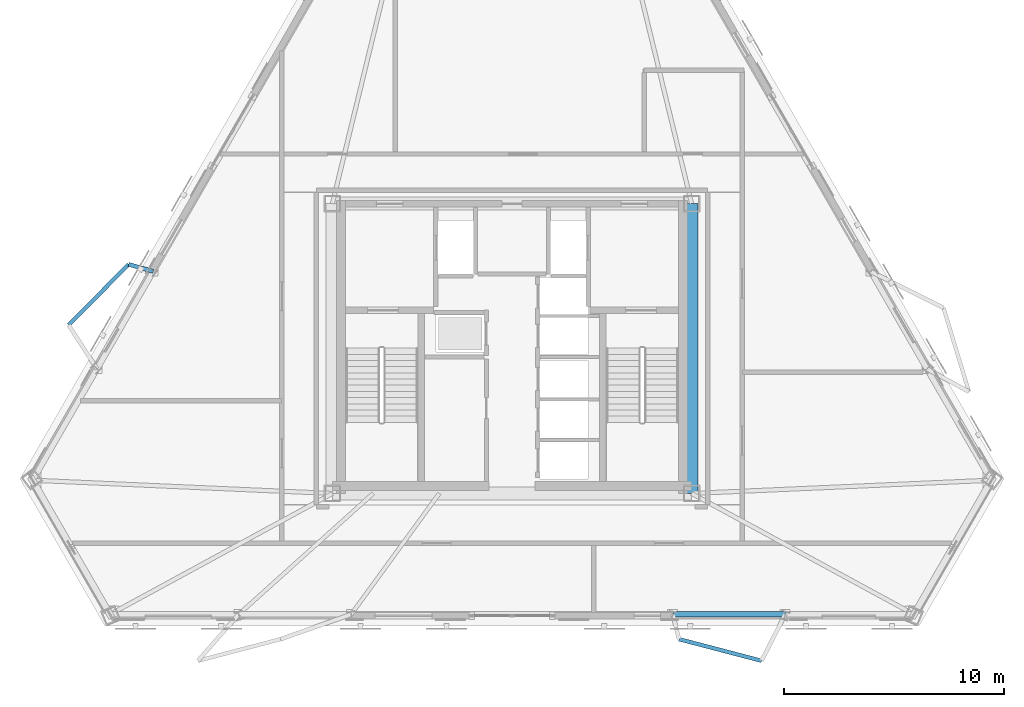
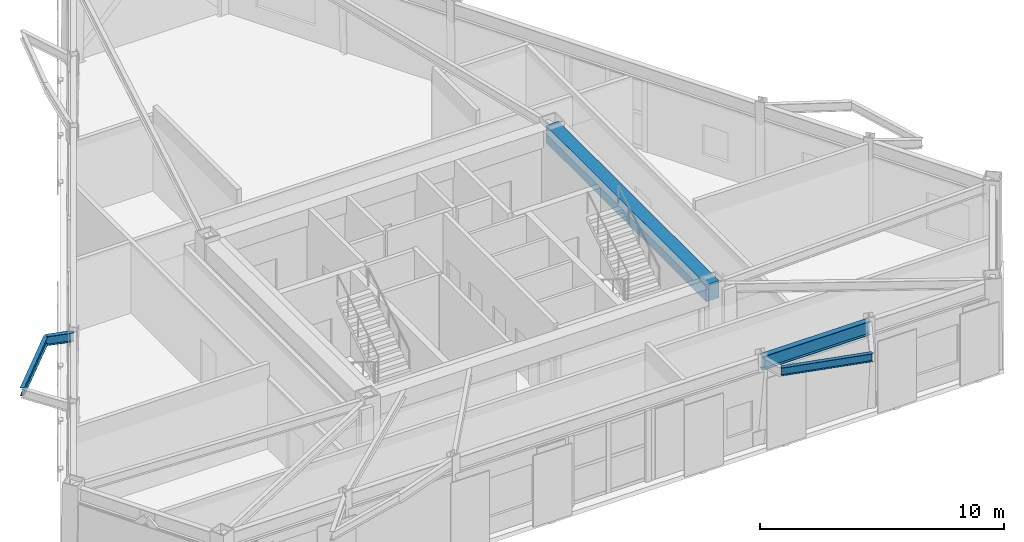
# One storey, part 3 of 14: 5 beams.
"""IFC4 building model written with IfcOpenShell, lengths in metres."""

from ifc_helpers import new_model, si_unit, direction, frame, origin, origin_2d, place, context, subcontext, project, spatial, rectangle, i_section, extrude, material, material_profile, profile_set, type_object, element, save


model = new_model("IFC4")

# Units and contexts
model_context = context("Model", 3, precision=1e-05, world=origin(), true_north=direction((0.0, 1.0)))
body_context = subcontext(model_context, "Body", "Model", "MODEL_VIEW")
ifc_project = project(units=[si_unit("LENGTHUNIT", "METRE"), si_unit("AREAUNIT", "SQUARE_METRE"), si_unit("VOLUMEUNIT", "CUBIC_METRE"), si_unit("PLANEANGLEUNIT", "RADIAN"), si_unit("MASSUNIT", "GRAM", prefix="KILO")], contexts=[model_context])

# Site, building, storey
site_placement = place(None, origin())
site = spatial("IfcSite", under=ifc_project, at=site_placement, CompositionType="ELEMENT")
building_placement = place(site_placement, origin())
building = spatial("IfcBuilding", under=site, at=building_placement, Name="Oramaril Tower", CompositionType="ELEMENT")
storey_placement = place(building_placement, frame((0.0, 0.0, 204.60009765625)))
storey = spatial("IfcBuildingStorey", under=building, at=storey_placement, Name="L54", CompositionType="ELEMENT", Elevation=204.60009765625)

# Beams
ifc_material_1 = material(Name="Steel ASTM A572 Gr 50", Category="steel")
ifc_material_profile_1 = material_profile(ifc_material_1, i_section(OverallWidth=0.19091796875, OverallDepth=0.45703125, WebThickness=0.009033203125, FlangeThickness=0.014404296875, at=origin_2d()), Name="W18X50")
ifc_profile_set_1 = profile_set([ifc_material_profile_1], Name="Steel ASTM A572 Gr 50")
beam_type_1 = type_object("IfcBeamType", Name="BT-BB1", PredefinedType="BEAM", material=ifc_profile_set_1)
beam_1_placement = place(storey_placement, frame((21.224365234375, 21.0751953125, 4.051513671875), z_axis=(-0.961808590687, 0.27372291625, 0.0), x_axis=(-0.27372291625, -0.961808590687, 0.0)))
element("IfcBeam", 1, at=beam_1_placement, inside=storey, type_object=beam_type_1, Name="L54 Balcony Column-Framed Cantilever 06.1", PredefinedType="BEAM", context=body_context, shape_type="SweptSolid", body=[
    extrude(i_section(OverallWidth=0.19091796875, OverallDepth=0.45703125, WebThickness=0.009033203125, FlangeThickness=0.014404296875, at=origin_2d()), origin(), (0.0, 0.0, 1.0), 1.1630859375),
])
ifc_material_2 = material(Name="Concrete C50/60", Category="concrete")
ifc_material_profile_2 = material_profile(ifc_material_2, rectangle(XDim=0.60009765625, YDim=0.85009765625, at=origin_2d()), Name="CB600X850")
ifc_profile_set_2 = profile_set([ifc_material_profile_2], Name="Concrete C50/60")
beam_type_2 = type_object("IfcBeamType", Name="BT-CB2", PredefinedType="BEAM", material=ifc_profile_set_2)
beam_2_placement = place(storey_placement, frame((45.64990234375, 11.0, 3.85498046875), z_axis=(0.0, 1.0, 0.0), x_axis=(-1.0, 0.0, 0.0)))
element("IfcBeam", 2, at=beam_2_placement, inside=storey, type_object=beam_type_2, Name="L54 Core Header Beam CB-2", PredefinedType="BEAM", context=body_context, shape_type="SweptSolid", body=[
    extrude(rectangle(XDim=0.60009765625, YDim=0.85009765625, at=origin_2d()), origin(), (0.0, 0.0, 1.0), 13.14990234375),
])
ifc_material_3 = material(Name="Steel ASTM A572 Gr 50", Category="steel")
ifc_material_profile_3 = material_profile(ifc_material_3, i_section(OverallWidth=0.177978515625, OverallDepth=0.404052734375, WebThickness=0.007568359375, FlangeThickness=0.010986328125, at=origin_2d()), Name="W16X36")
ifc_profile_set_3 = profile_set([ifc_material_profile_3], Name="Steel ASTM A572 Gr 50")
beam_type_3 = type_object("IfcBeamType", Name="BT-SB1", PredefinedType="BEAM", material=ifc_profile_set_3)
for number, where, z_axis, x_axis, name in (
    (3, (45.076904296875, 4.389404296875, 4.077880859375), (0.967392467397, -0.253282083899, 0.0), (0.253282083899, 0.967392467397, 0.0), "L54 Balcony Edge Tie Beam 02"),
    (4, (20.105712890625, 21.3935546875, 4.077880859375), (-0.702994511648, -0.71119527318, 0.0), (0.71119527318, -0.702994511648, 0.0), "L54 Balcony Edge Tie Beam 06"),
):
    element("IfcBeam", number, at=place(storey_placement, frame(where, z_axis=z_axis, x_axis=x_axis)), inside=storey, type_object=beam_type_3, Name=name, PredefinedType="BEAM", context=body_context, shape_type="SweptSolid", body=[
        extrude(i_section(OverallWidth=0.177978515625, OverallDepth=0.404052734375, WebThickness=0.007568359375, FlangeThickness=0.010986328125, at=origin_2d()), origin(), (0.0, 0.0, 1.0), 3.8701171875),
    ])
ifc_material_4 = material(Name="Steel ASTM A572 Gr 50", Category="steel")
ifc_material_profile_4 = material_profile(ifc_material_4, i_section(OverallWidth=0.257080078125, OverallDepth=0.693115234375, WebThickness=0.014404296875, FlangeThickness=0.023681640625, at=origin_2d()), Name="W27X114")
ifc_profile_set_4 = profile_set([ifc_material_profile_4], Name="Steel ASTM A572 Gr 50")
beam_type_4 = type_object("IfcBeamType", Name="BT-SP4", PredefinedType="SPANDREL", material=ifc_profile_set_4)
beam_3_placement = place(storey_placement, frame((44.793212890625, 5.517333984375, 3.933349609375), z_axis=(1.0, 0.0, 0.0), x_axis=(0.0, 1.0, 0.0)))
element("IfcBeam", 5, at=beam_3_placement, inside=storey, type_object=beam_type_4, Name="L54 Perimeter Spandrel 05", PredefinedType="SPANDREL", context=body_context, shape_type="SweptSolid", body=[
    extrude(i_section(OverallWidth=0.257080078125, OverallDepth=0.693115234375, WebThickness=0.014404296875, FlangeThickness=0.023681640625, at=origin_2d()), origin(), (0.0, 0.0, 1.0), 5.10546875),
])

save(model, "model.ifc")
